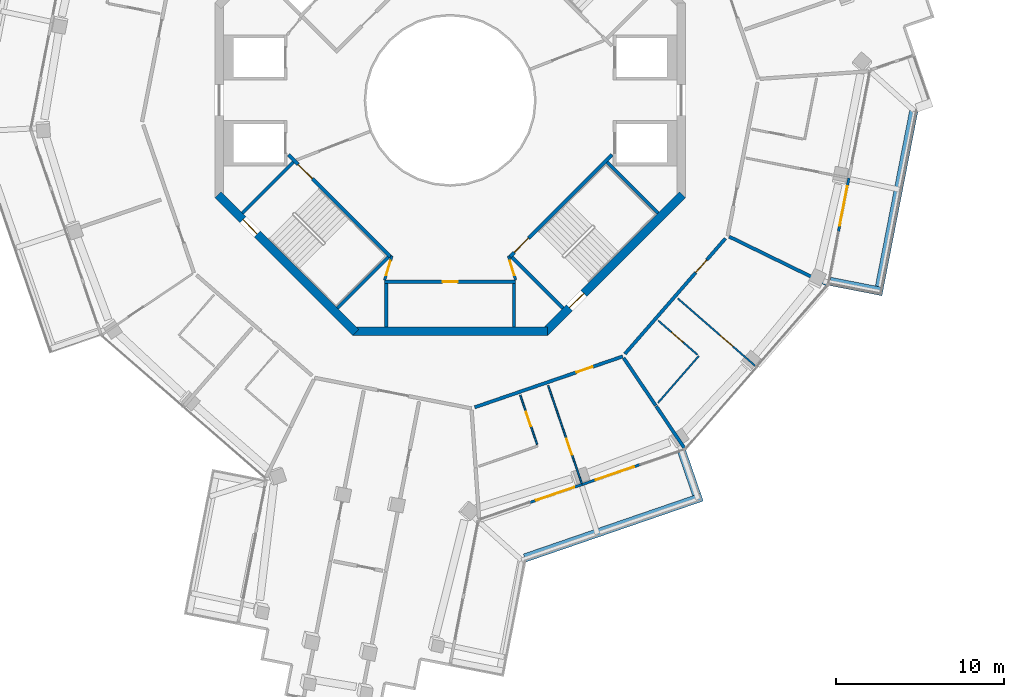
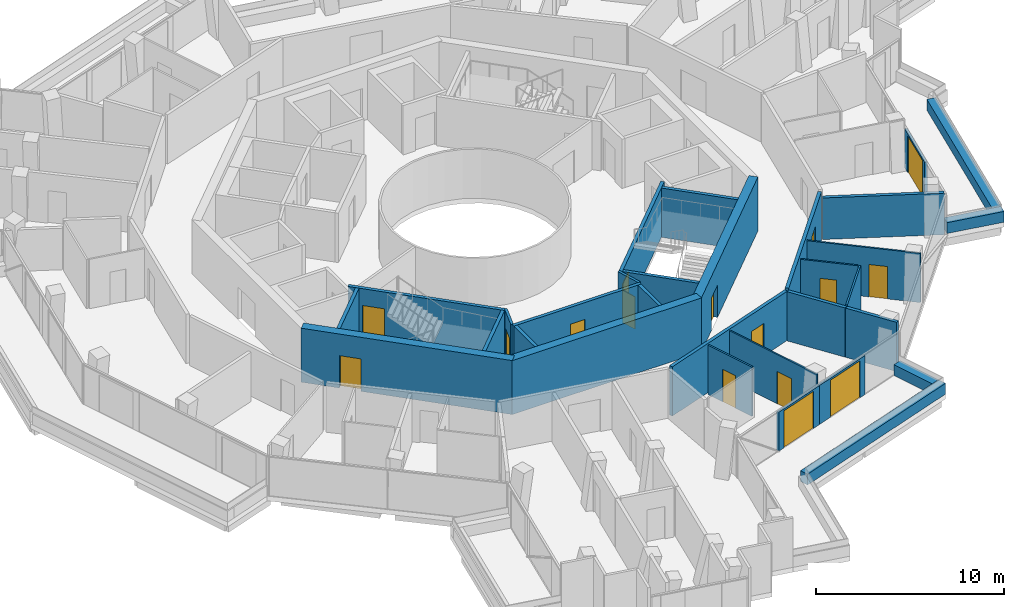
# One storey, part 15 of 22: 31 walls, 16 doors, 16 openings.
"""IFC4 building model written with IfcOpenShell, lengths in metres."""

from ifc_helpers import new_model, si_unit, direction, frame, frame_2d, origin, place, context, subcontext, project, spatial, rectangle, extrude, material, layer, layer_set, type_object, element, fill, save


model = new_model("IFC4")

# Units and contexts
model_context = context("Model", 3, precision=1e-05, world=origin(), true_north=direction((0.0, 1.0)))
body_context = subcontext(model_context, "Body", "Model", "MODEL_VIEW")
ifc_project = project(units=[si_unit("LENGTHUNIT", "METRE"), si_unit("AREAUNIT", "SQUARE_METRE"), si_unit("VOLUMEUNIT", "CUBIC_METRE"), si_unit("PLANEANGLEUNIT", "RADIAN"), si_unit("MASSUNIT", "GRAM", prefix="KILO")], contexts=[model_context])

# Site, building, storey
site_placement = place(None, origin())
site = spatial("IfcSite", under=ifc_project, at=site_placement, CompositionType="ELEMENT")
building_placement = place(site_placement, origin())
building = spatial("IfcBuilding", under=site, at=building_placement, Name="Verdalira Terraces Hotel", CompositionType="ELEMENT")
storey_placement = place(building_placement, frame((0.0, 0.0, 234.0)))
storey = spatial("IfcBuildingStorey", under=building, at=storey_placement, Name="L57", CompositionType="ELEMENT", Elevation=234.0)

# Walls
ifc_material_1 = material(Name="Concrete C40", Category="concrete")
ifc_layer_1 = layer(ifc_material_1, 0.5)
ifc_layer_set_1 = layer_set([ifc_layer_1], Name="Balcony planter trough with tree")
wall_type_1 = type_object("IfcWallType", Name="Balcony planter trough with tree", PredefinedType="SOLIDWALL", material=ifc_layer_set_1)
wall_1_placement = place(storey_placement, frame((4.440186, -27.243896, 0.0), z_axis=(0.0, 0.0, 1.0), x_axis=(0.94574505, 0.324909681, 0.0)))
element("IfcWall", 1, at=wall_1_placement, inside=storey, type_object=wall_type_1, Name="Balcony planter", PredefinedType="SOLIDWALL", context=body_context, shape_type="SweptSolid", body=[
    extrude(rectangle(XDim=11.152344, YDim=0.5, at=frame_2d((5.576172, 0.0))), origin(), (0.0, 0.0, 1.0), 0.699951),
])
wall_2_placement = place(storey_placement, frame((14.669922, -23.465088, 0.0), z_axis=(0.0, 0.0, 1.0), x_axis=(-0.324925551, 0.945739598, 0.0)))
element("IfcWall", 2, at=wall_2_placement, inside=storey, type_object=wall_type_1, Name="Balcony planter", PredefinedType="SOLIDWALL", context=body_context, shape_type="SweptSolid", body=[
    extrude(rectangle(XDim=2.698975, YDim=0.5, at=frame_2d((1.349609, 0.0))), origin(), (0.0, 0.0, 1.0), 0.699951),
])
wall_3_placement = place(storey_placement, frame((22.613525, -10.779785, 0.0), z_axis=(0.0, 0.0, 1.0), x_axis=(0.981497239, -0.191476291, 0.0)))
element("IfcWall", 3, at=wall_3_placement, inside=storey, type_object=wall_type_1, Name="Balcony planter", PredefinedType="SOLIDWALL", context=body_context, shape_type="SweptSolid", body=[
    extrude(rectangle(XDim=3.198975, YDim=0.5, at=frame_2d((1.599609, 0.0))), origin(), (0.0, 0.0, 1.0), 0.699951),
])
wall_4_placement = place(storey_placement, frame((25.555908, -11.099121, 0.0), z_axis=(0.0, 0.0, 1.0), x_axis=(0.191486127, 0.98149532, 0.0)))
element("IfcWall", 4, at=wall_4_placement, inside=storey, type_object=wall_type_1, Name="Balcony planter", PredefinedType="SOLIDWALL", context=body_context, shape_type="SweptSolid", body=[
    extrude(rectangle(XDim=10.652344, YDim=0.5, at=frame_2d((5.326172, 0.0))), origin(), (0.0, 0.0, 1.0), 0.699951),
])

# Wall, opening, door
ifc_material_2 = material(Name="Moisture-resistant gypsum board partition")
ifc_layer_2 = layer(ifc_material_2, 0.10009765625)
ifc_layer_set_2 = layer_set([ifc_layer_2], Name="Bathroom partition 100 mm")
wall_type_2 = type_object("IfcWallType", Name="Bathroom partition 100 mm", PredefinedType="PARTITIONING", material=ifc_layer_set_2)
wall_5_placement = place(storey_placement, frame((5.179199, -20.487061, 0.0), z_axis=(0.0, 0.0, 1.0), x_axis=(-0.324956504, 0.945728963, 0.0)))
wall_5 = element("IfcWall", 5, at=wall_5_placement, inside=storey, type_object=wall_type_2, Name="Bathroom partition", PredefinedType="PARTITIONING", context=body_context, shape_type="SweptSolid", body=[
    extrude(rectangle(XDim=3.099854, YDim=0.100098, at=frame_2d((1.549805, 0.0))), origin(), (0.0, 0.0, 1.0), 3.189941),
])
opening_1_placement = place(wall_5_placement, frame((1.149902, 0.0, 0.0)))
opening_1 = element("IfcOpeningElement", 6, at=opening_1_placement, cuts=wall_5, Name="Opening L57-117", PredefinedType="OPENING", context=body_context, shape_type="SweptSolid", body=[
    extrude(rectangle(XDim=0.899902, YDim=2.100098, at=frame_2d((0.449951, 1.050049))), frame((0.0, 0.060059, 0.0), z_axis=(0.0, -1.0, 0.0), x_axis=(1.0, 0.0, 0.0)), (0.0, 0.0, 1.0), 0.120117),
])
ifc_material_3 = material(Name="Timber door", Category="wood")
door_type_1 = type_object("IfcDoorType", Name="Bathroom door 900 x 2100", OperationType="NOTDEFINED", PredefinedType="DOOR", material=ifc_material_3)
door_1_placement = place(opening_1_placement, origin())
door_1 = element("IfcDoor", 7, at=door_1_placement, inside=storey, type_object=door_type_1, Name="Bathroom door 5706", OperationType="SINGLE_SWING_LEFT", OverallHeight=2.10009765625, OverallWidth=0.89990234375, PredefinedType="DOOR", context=body_context, shape_type="SweptSolid", body=[
    extrude(rectangle(XDim=0.899902, YDim=2.100098, at=frame_2d((0.449951, 1.050049))), frame((0.0, 0.024902, 0.0), z_axis=(0.0, -1.0, 0.0), x_axis=(1.0, 0.0, 0.0)), (0.0, 0.0, 1.0), 0.050049),
])
fill(opening_1, door_1)

wall_6_placement = place(storey_placement, frame((7.833008, -22.800293, 0.0), z_axis=(0.0, 0.0, 1.0), x_axis=(-0.324920005, 0.945741503, 0.0)))
wall_6 = element("IfcWall", 8, at=wall_6_placement, inside=storey, type_object=wall_type_2, Name="Bathroom partition", PredefinedType="PARTITIONING", context=body_context, shape_type="SweptSolid", body=[
    extrude(rectangle(XDim=6.150146, YDim=0.100098, at=frame_2d((3.075195, 0.0))), origin(), (0.0, 0.0, 1.0), 3.189941),
])
opening_2_placement = place(wall_6_placement, frame((1.800049, 0.0, 0.0)))
opening_2 = element("IfcOpeningElement", 9, at=opening_2_placement, cuts=wall_6, Name="Opening L57-116", PredefinedType="OPENING", context=body_context, shape_type="SweptSolid", body=[
    extrude(rectangle(XDim=1.0, YDim=2.100098, at=frame_2d((0.5, 1.050049))), frame((0.0, 0.060059, 0.0), z_axis=(0.0, -1.0, 0.0), x_axis=(1.0, 0.0, 0.0)), (0.0, 0.0, 1.0), 0.120117),
])
ifc_material_4 = material(Name="Timber door", Category="wood")
door_type_2 = type_object("IfcDoorType", Name="Suite internal door 1000 x 2100", OperationType="NOTDEFINED", PredefinedType="DOOR", material=ifc_material_4)
door_2_placement = place(opening_2_placement, origin())
door_2 = element("IfcDoor", 10, at=door_2_placement, inside=storey, type_object=door_type_2, Name="Suite internal door 5706", OperationType="SINGLE_SWING_LEFT", OverallHeight=2.10009765625, OverallWidth=1.0, PredefinedType="DOOR", context=body_context, shape_type="SweptSolid", body=[
    extrude(rectangle(XDim=1.0, YDim=2.100098, at=frame_2d((0.5, 1.050049))), frame((0.0, 0.024902, 0.0), z_axis=(0.0, -1.0, 0.0), x_axis=(1.0, 0.0, 0.0)), (0.0, 0.0, 1.0), 0.050049),
])
fill(opening_2, door_2)

wall_7_placement = place(storey_placement, frame((14.72876, -15.152832, 0.0), z_axis=(0.0, 0.0, 1.0), x_axis=(-0.754247659, 0.656590031, 0.0)))
wall_7 = element("IfcWall", 11, at=wall_7_placement, inside=storey, type_object=wall_type_2, Name="Bathroom partition", PredefinedType="PARTITIONING", context=body_context, shape_type="SweptSolid", body=[
    extrude(rectangle(XDim=3.099854, YDim=0.100098, at=frame_2d((1.549805, 0.0))), origin(), (0.0, 0.0, 1.0), 3.189941),
])
opening_3_placement = place(wall_7_placement, frame((1.149902, 0.0, 0.0)))
opening_3 = element("IfcOpeningElement", 12, at=opening_3_placement, cuts=wall_7, Name="Opening L57-120", PredefinedType="OPENING", context=body_context, shape_type="SweptSolid", body=[
    extrude(rectangle(XDim=0.899902, YDim=2.100098, at=frame_2d((0.449951, 1.050049))), frame((0.0, 0.060059, 0.0), z_axis=(0.0, -1.0, 0.0), x_axis=(1.0, 0.0, 0.0)), (0.0, 0.0, 1.0), 0.120117),
])
door_3_placement = place(opening_3_placement, origin())
door_3 = element("IfcDoor", 13, at=door_3_placement, inside=storey, type_object=door_type_1, Name="Bathroom door 5707", OperationType="SINGLE_SWING_LEFT", OverallHeight=2.10009765625, OverallWidth=0.89990234375, PredefinedType="DOOR", context=body_context, shape_type="SweptSolid", body=[
    extrude(rectangle(XDim=0.899902, YDim=2.100098, at=frame_2d((0.449951, 1.050049))), frame((0.0, 0.024902, 0.0), z_axis=(0.0, -1.0, 0.0), x_axis=(1.0, 0.0, 0.0)), (0.0, 0.0, 1.0), 0.050049),
])
fill(opening_3, door_3)

# Wall
wall_8_placement = place(storey_placement, frame((12.372314, -18.012207, 0.0), z_axis=(0.0, 0.0, 1.0), x_axis=(0.656575176, 0.75426059, 0.0)))
element("IfcWall", 14, at=wall_8_placement, inside=storey, type_object=wall_type_2, Name="Bathroom partition", PredefinedType="PARTITIONING", context=body_context, shape_type="SweptSolid", body=[
    extrude(rectangle(XDim=3.703857, YDim=0.100098, at=frame_2d((1.852051, 0.0))), origin(), (0.0, 0.0, 1.0), 3.189941),
])

# Wall, opening, door
wall_9_placement = place(storey_placement, frame((18.183594, -15.829102, 0.0), z_axis=(0.0, 0.0, 1.0), x_axis=(-0.754249014, 0.656588475, 0.0)))
wall_9 = element("IfcWall", 15, at=wall_9_placement, inside=storey, type_object=wall_type_2, Name="Bathroom partition", PredefinedType="PARTITIONING", context=body_context, shape_type="SweptSolid", body=[
    extrude(rectangle(XDim=6.149658, YDim=0.100098, at=frame_2d((3.074707, 0.0))), origin(), (0.0, 0.0, 1.0), 3.189941),
])
opening_4_placement = place(wall_9_placement, frame((1.800049, 0.0, 0.0)))
opening_4 = element("IfcOpeningElement", 16, at=opening_4_placement, cuts=wall_9, Name="Opening L57-119", PredefinedType="OPENING", context=body_context, shape_type="SweptSolid", body=[
    extrude(rectangle(XDim=1.0, YDim=2.100098, at=frame_2d((0.5, 1.050049))), frame((0.0, 0.060059, 0.0), z_axis=(0.0, -1.0, 0.0), x_axis=(1.0, 0.0, 0.0)), (0.0, 0.0, 1.0), 0.120117),
])
door_4_placement = place(opening_4_placement, origin())
door_4 = element("IfcDoor", 17, at=door_4_placement, inside=storey, type_object=door_type_2, Name="Suite internal door 5707", OperationType="SINGLE_SWING_LEFT", OverallHeight=2.10009765625, OverallWidth=1.0, PredefinedType="DOOR", context=body_context, shape_type="SweptSolid", body=[
    extrude(rectangle(XDim=1.0, YDim=2.100098, at=frame_2d((0.5, 1.050049))), frame((0.0, 0.024902, 0.0), z_axis=(0.0, -1.0, 0.0), x_axis=(1.0, 0.0, 0.0)), (0.0, 0.0, 1.0), 0.050049),
])
fill(opening_4, door_4)

ifc_material_5 = material(Name="Concrete C50", Category="concrete")
ifc_layer_3 = layer(ifc_material_5, 0.199951171875)
ifc_layer_set_3 = layer_set([ifc_layer_3], Name="Core RC wall 200 C50")
wall_type_3 = type_object("IfcWallType", Name="Core RC wall 200 C50", PredefinedType="SOLIDWALL", material=ifc_layer_set_3)
wall_10_placement = place(storey_placement, frame((-3.899902, -10.800049, 0.0), z_axis=(0.0, 0.0, 1.0), x_axis=(1.0, 0.0, 0.0)))
wall_10 = element("IfcWall", 18, at=wall_10_placement, inside=storey, type_object=wall_type_3, Name="L57 store front wall", PredefinedType="SOLIDWALL", context=body_context, shape_type="SweptSolid", body=[
    extrude(rectangle(XDim=7.799805, YDim=0.199951, at=frame_2d((3.899902, 0.0))), origin(), (0.0, 0.0, 1.0), 3.189941),
])
opening_5_placement = place(wall_10_placement, frame((3.449951, 0.0, 0.0)))
opening_5 = element("IfcOpeningElement", 19, at=opening_5_placement, cuts=wall_10, Name="Opening L57-801", PredefinedType="OPENING", context=body_context, shape_type="SweptSolid", body=[
    extrude(rectangle(XDim=0.899902, YDim=2.100098, at=frame_2d((0.449951, 1.050049))), frame((0.0, 0.109863, 0.0), z_axis=(0.0, -1.0, 0.0), x_axis=(1.0, 0.0, 0.0)), (0.0, 0.0, 1.0), 0.219971),
])
ifc_material_6 = material(Name="Steel fire door", Category="steel")
door_type_3 = type_object("IfcDoorType", Name="Core room door 900 x 2100", OperationType="NOTDEFINED", PredefinedType="DOOR", material=ifc_material_6)
door_5_placement = place(opening_5_placement, origin())
door_5 = element("IfcDoor", 20, at=door_5_placement, inside=storey, type_object=door_type_3, Name="Store door L57 SS", OperationType="SINGLE_SWING_LEFT", OverallHeight=2.10009765625, OverallWidth=0.89990234375, PredefinedType="DOOR", context=body_context, shape_type="SweptSolid", body=[
    extrude(rectangle(XDim=0.899902, YDim=2.100098, at=frame_2d((0.449951, 1.050049))), frame((0.0, 0.024902, 0.0), z_axis=(0.0, -1.0, 0.0), x_axis=(1.0, 0.0, 0.0)), (0.0, 0.0, 1.0), 0.050049),
])
fill(opening_5, door_5)

# Walls
for number, where, z_axis, x_axis, name in (
    (21, (-3.800049, -10.899902, 0.0), (0.0, 0.0, 1.0), (0.0, -1.0, 0.0), "L57 store side wall"),
    (22, (3.800049, -10.899902, 0.0), (0.0, 0.0, 1.0), (0.0, -1.0, 0.0), "L57 store side wall"),
):
    element("IfcWall", number, at=place(storey_placement, frame(where, z_axis=z_axis, x_axis=x_axis)), inside=storey, type_object=wall_type_3, Name=name, PredefinedType="SOLIDWALL", context=body_context, shape_type="SweptSolid", body=[
        extrude(rectangle(XDim=2.600098, YDim=0.199951, at=frame_2d((1.300049, 0.0))), origin(), (0.0, 0.0, 1.0), 3.189941),
    ])

# Wall, opening, door
wall_11_placement = place(storey_placement, frame((-3.5354, -9.33374, 0.0), z_axis=(0.0, 0.0, 1.0), x_axis=(-0.707120946, 0.707092617, 0.0)))
wall_11 = element("IfcWall", 23, at=wall_11_placement, inside=storey, type_object=wall_type_3, Name="L57 stair ST2 front wall", PredefinedType="SOLIDWALL", context=body_context, shape_type="SweptSolid", body=[
    extrude(rectangle(XDim=8.61792, YDim=0.199951, at=frame_2d((4.309082, 0.0))), origin(), (0.0, 0.0, 1.0), 3.189941),
])
opening_6_placement = place(wall_11_placement, frame((6.600098, 0.0, 0.0)))
opening_6 = element("IfcOpeningElement", 24, at=opening_6_placement, cuts=wall_11, Name="Opening L57-811", PredefinedType="OPENING", context=body_context, shape_type="SweptSolid", body=[
    extrude(rectangle(XDim=1.199951, YDim=2.100098, at=frame_2d((0.600098, 1.050049))), frame((0.0, 0.109863, 0.0), z_axis=(0.0, -1.0, 0.0), x_axis=(1.0, 0.0, 0.0)), (0.0, 0.0, 1.0), 0.219971),
])
ifc_material_7 = material(Name="Steel fire door", Category="steel")
door_type_4 = type_object("IfcDoorType", Name="Stair door 1200 x 2100", OperationType="NOTDEFINED", PredefinedType="DOOR", material=ifc_material_7)
door_6_placement = place(opening_6_placement, origin())
door_6 = element("IfcDoor", 25, at=door_6_placement, inside=storey, type_object=door_type_4, Name="Stair door ST2 L57", OperationType="SINGLE_SWING_RIGHT", OverallHeight=2.10009765625, OverallWidth=1.199951171875, PredefinedType="DOOR", context=body_context, shape_type="SweptSolid", body=[
    extrude(rectangle(XDim=1.199951, YDim=2.100098, at=frame_2d((0.600098, 1.050049))), frame((0.0, 0.024902, 0.0), z_axis=(0.0, -1.0, 0.0), x_axis=(1.0, 0.0, 0.0)), (0.0, 0.0, 1.0), 0.050049),
])
fill(opening_6, door_6)

# Walls
for number, where, z_axis, x_axis, name in (
    (26, (-9.33374, -3.677002, 0.0), (0.0, 0.0, 1.0), (-0.707135168, -0.707078393, 0.0), "L57 stair ST2 end wall 1"),
    (27, (-3.677002, -9.33374, 0.0), (0.0, 0.0, 1.0), (-0.707078393, -0.707135168, 0.0), "L57 stair ST2 end wall 2"),
):
    element("IfcWall", number, at=place(storey_placement, frame(where, z_axis=z_axis, x_axis=x_axis)), inside=storey, type_object=wall_type_3, Name=name, PredefinedType="SOLIDWALL", context=body_context, shape_type="SweptSolid", body=[
        extrude(rectangle(XDim=4.300049, YDim=0.199951, at=frame_2d((2.149902, 0.0))), origin(), (0.0, 0.0, 1.0), 3.189941),
    ])

# Wall, opening, door
wall_12_placement = place(storey_placement, frame((9.629395, -3.23999, 0.0), z_axis=(0.0, 0.0, 1.0), x_axis=(-0.707120946, -0.707092617, 0.0)))
wall_12 = element("IfcWall", 28, at=wall_12_placement, inside=storey, type_object=wall_type_3, Name="L57 stair ST3 front wall", PredefinedType="SOLIDWALL", context=body_context, shape_type="SweptSolid", body=[
    extrude(rectangle(XDim=8.61792, YDim=0.199951, at=frame_2d((4.309082, 0.0))), origin(), (0.0, 0.0, 1.0), 3.189941),
])
opening_7_placement = place(wall_12_placement, frame((7.017822, 0.0, 0.0)))
opening_7 = element("IfcOpeningElement", 29, at=opening_7_placement, cuts=wall_12, Name="Opening L57-812", PredefinedType="OPENING", context=body_context, shape_type="SweptSolid", body=[
    extrude(rectangle(XDim=1.199951, YDim=2.100098, at=frame_2d((0.600098, 1.050049))), frame((0.0, 0.109863, 0.0), z_axis=(0.0, -1.0, 0.0), x_axis=(1.0, 0.0, 0.0)), (0.0, 0.0, 1.0), 0.219971),
])
door_7_placement = place(opening_7_placement, origin())
door_7 = element("IfcDoor", 30, at=door_7_placement, inside=storey, type_object=door_type_4, Name="Stair door ST3 L57", OperationType="SINGLE_SWING_RIGHT", OverallHeight=2.10009765625, OverallWidth=1.199951171875, PredefinedType="DOOR", context=body_context, shape_type="SweptSolid", body=[
    extrude(rectangle(XDim=1.199951, YDim=2.100098, at=frame_2d((0.600098, 1.050049))), frame((0.0, 0.024902, 0.0), z_axis=(0.0, -1.0, 0.0), x_axis=(1.0, 0.0, 0.0)), (0.0, 0.0, 1.0), 0.050049),
])
fill(opening_7, door_7)

# Walls
for number, where, z_axis, x_axis, name in (
    (31, (3.677002, -9.33374, 0.0), (0.0, 0.0, 1.0), (0.707078393, -0.707135168, 0.0), "L57 stair ST3 end wall 1"),
    (32, (9.33374, -3.677002, 0.0), (0.0, 0.0, 1.0), (0.707135168, -0.707078393, 0.0), "L57 stair ST3 end wall 2"),
):
    element("IfcWall", number, at=place(storey_placement, frame(where, z_axis=z_axis, x_axis=x_axis)), inside=storey, type_object=wall_type_3, Name=name, PredefinedType="SOLIDWALL", context=body_context, shape_type="SweptSolid", body=[
        extrude(rectangle(XDim=4.300049, YDim=0.199951, at=frame_2d((2.149902, 0.0))), origin(), (0.0, 0.0, 1.0), 3.189941),
    ])

# Wall, opening, door
ifc_material_8 = material(Name="Gypsum board partition")
ifc_layer_4 = layer(ifc_material_8, 0.14990234375)
ifc_layer_set_4 = layer_set([ifc_layer_4], Name="Core partition 150 mm")
wall_type_4 = type_object("IfcWallType", Name="Core partition 150 mm", PredefinedType="PARTITIONING", material=ifc_layer_set_4)
wall_13_placement = place(storey_placement, frame((-3.464844, -9.263184, 0.0), z_axis=(0.0, 0.0, 1.0), x_axis=(-0.289808785, -0.957084567, 0.0)))
wall_13 = element("IfcWall", 33, at=wall_13_placement, inside=storey, type_object=wall_type_4, Name="Room partition L57", PredefinedType="PARTITIONING", context=body_context, shape_type="SweptSolid", body=[
    extrude(rectangle(XDim=1.501221, YDim=0.149902, at=frame_2d((0.750488, 0.0))), origin(), (0.0, 0.0, 1.0), 3.189941),
])
opening_8_placement = place(wall_13_placement, frame((0.300781, 0.0, 0.0)))
opening_8 = element("IfcOpeningElement", 34, at=opening_8_placement, cuts=wall_13, Name="Opening L57-822", PredefinedType="OPENING", context=body_context, shape_type="SweptSolid", body=[
    extrude(rectangle(XDim=0.899902, YDim=2.100098, at=frame_2d((0.449951, 1.050049))), frame((0.0, 0.084961, 0.0), z_axis=(0.0, -1.0, 0.0), x_axis=(1.0, 0.0, 0.0)), (0.0, 0.0, 1.0), 0.169922),
])
door_8_placement = place(opening_8_placement, origin())
door_8 = element("IfcDoor", 35, at=door_8_placement, inside=storey, type_object=door_type_3, Name="Door L57 room5", OperationType="SINGLE_SWING_LEFT", OverallHeight=2.10009765625, OverallWidth=0.89990234375, PredefinedType="DOOR", context=body_context, shape_type="SweptSolid", body=[
    extrude(rectangle(XDim=0.899902, YDim=2.100098, at=frame_2d((0.449951, 1.050049))), frame((0.0, 0.024902, 0.0), z_axis=(0.0, -1.0, 0.0), x_axis=(1.0, 0.0, 0.0)), (0.0, 0.0, 1.0), 0.050049),
])
fill(opening_8, door_8)

wall_14_placement = place(storey_placement, frame((3.899902, -10.699951, 0.0), z_axis=(0.0, 0.0, 1.0), x_axis=(-0.289808785, 0.957084567, 0.0)))
wall_14 = element("IfcWall", 36, at=wall_14_placement, inside=storey, type_object=wall_type_4, Name="Room partition L57", PredefinedType="PARTITIONING", context=body_context, shape_type="SweptSolid", body=[
    extrude(rectangle(XDim=1.501221, YDim=0.149902, at=frame_2d((0.750488, 0.0))), origin(), (0.0, 0.0, 1.0), 3.189941),
])
opening_9_placement = place(wall_14_placement, frame((0.300781, 0.0, 0.0)))
opening_9 = element("IfcOpeningElement", 37, at=opening_9_placement, cuts=wall_14, Name="Opening L57-823", PredefinedType="OPENING", context=body_context, shape_type="SweptSolid", body=[
    extrude(rectangle(XDim=0.899902, YDim=2.100098, at=frame_2d((0.449951, 1.050049))), frame((0.0, 0.084961, 0.0), z_axis=(0.0, -1.0, 0.0), x_axis=(1.0, 0.0, 0.0)), (0.0, 0.0, 1.0), 0.169922),
])
door_9_placement = place(opening_9_placement, origin())
door_9 = element("IfcDoor", 38, at=door_9_placement, inside=storey, type_object=door_type_3, Name="Door L57 room6", OperationType="SINGLE_SWING_LEFT", OverallHeight=2.10009765625, OverallWidth=0.89990234375, PredefinedType="DOOR", context=body_context, shape_type="SweptSolid", body=[
    extrude(rectangle(XDim=0.899902, YDim=2.100098, at=frame_2d((0.449951, 1.050049))), frame((0.0, 0.024902, 0.0), z_axis=(0.0, -1.0, 0.0), x_axis=(1.0, 0.0, 0.0)), (0.0, 0.0, 1.0), 0.050049),
])
fill(opening_9, door_9)

ifc_material_9 = material(Name="Concrete C50", Category="concrete")
ifc_layer_5 = layer(ifc_material_9, 0.5)
ifc_layer_set_5 = layer_set([ifc_layer_5], Name="Core wall 500 C50")
wall_type_5 = type_object("IfcWallType", Name="Core wall 500 C50", PredefinedType="SHEAR", material=ifc_layer_set_5)
wall_15_placement = place(storey_placement, frame((-13.823242, -5.622314, 0.0), z_axis=(0.0, 0.0, 1.0), x_axis=(0.707106781, -0.707106781, 0.0)))
wall_15 = element("IfcWall", 39, at=wall_15_placement, inside=storey, type_object=wall_type_5, Name="Core wall CW-L57-6", PredefinedType="SHEAR", context=body_context, shape_type="SweptSolid", body=[
    extrude(rectangle(XDim=11.5979, YDim=0.5, at=frame_2d((5.798828, 0.0))), origin(), (0.0, 0.0, 1.0), 3.5),
])
opening_10_placement = place(wall_15_placement, frame((2.099121, 0.0, 0.0)))
opening_10 = element("IfcOpeningElement", 40, at=opening_10_placement, cuts=wall_15, Name="Opening L57-817", PredefinedType="OPENING", context=body_context, shape_type="SweptSolid", body=[
    extrude(rectangle(XDim=1.199951, YDim=2.100098, at=frame_2d((0.600098, 1.050049))), frame((0.0, 0.26001, 0.0), z_axis=(0.0, -1.0, 0.0), x_axis=(1.0, 0.0, 0.0)), (0.0, 0.0, 1.0), 0.52002),
])
door_10_placement = place(opening_10_placement, origin())
door_10 = element("IfcDoor", 41, at=door_10_placement, inside=storey, type_object=door_type_4, Name="Stair exit door ST2 L57", OperationType="SINGLE_SWING_LEFT", OverallHeight=2.10009765625, OverallWidth=1.199951171875, PredefinedType="DOOR", context=body_context, shape_type="SweptSolid", body=[
    extrude(rectangle(XDim=1.199951, YDim=2.100098, at=frame_2d((0.600098, 1.050049))), frame((0.0, 0.024902, 0.0), z_axis=(0.0, -1.0, 0.0), x_axis=(1.0, 0.0, 0.0)), (0.0, 0.0, 1.0), 0.050049),
])
fill(opening_10, door_10)

# Wall
wall_16_placement = place(storey_placement, frame((-5.799072, -13.75, 0.0), z_axis=(0.0, 0.0, 1.0), x_axis=(1.0, 0.0, 0.0)))
element("IfcWall", 42, at=wall_16_placement, inside=storey, type_object=wall_type_5, Name="Core wall CW-L57-7", PredefinedType="SHEAR", context=body_context, shape_type="SweptSolid", body=[
    extrude(rectangle(XDim=11.598145, YDim=0.5, at=frame_2d((5.799072, 0.0))), origin(), (0.0, 0.0, 1.0), 3.5),
])

# Wall, opening, door
wall_17_placement = place(storey_placement, frame((5.622314, -13.823242, 0.0), z_axis=(0.0, 0.0, 1.0), x_axis=(0.707106781, 0.707106781, 0.0)))
wall_17 = element("IfcWall", 43, at=wall_17_placement, inside=storey, type_object=wall_type_5, Name="Core wall CW-L57-8", PredefinedType="SHEAR", context=body_context, shape_type="SweptSolid", body=[
    extrude(rectangle(XDim=11.5979, YDim=0.5, at=frame_2d((5.798828, 0.0))), origin(), (0.0, 0.0, 1.0), 3.5),
])
opening_11_placement = place(wall_17_placement, frame((2.099121, 0.0, 0.0)))
opening_11 = element("IfcOpeningElement", 44, at=opening_11_placement, cuts=wall_17, Name="Opening L57-818", PredefinedType="OPENING", context=body_context, shape_type="SweptSolid", body=[
    extrude(rectangle(XDim=1.199951, YDim=2.100098, at=frame_2d((0.600098, 1.050049))), frame((0.0, 0.26001, 0.0), z_axis=(0.0, -1.0, 0.0), x_axis=(1.0, 0.0, 0.0)), (0.0, 0.0, 1.0), 0.52002),
])
door_11_placement = place(opening_11_placement, origin())
door_11 = element("IfcDoor", 45, at=door_11_placement, inside=storey, type_object=door_type_4, Name="Stair exit door ST3 L57", OperationType="SINGLE_SWING_LEFT", OverallHeight=2.10009765625, OverallWidth=1.199951171875, PredefinedType="DOOR", context=body_context, shape_type="SweptSolid", body=[
    extrude(rectangle(XDim=1.199951, YDim=2.100098, at=frame_2d((0.600098, 1.050049))), frame((0.0, 0.024902, 0.0), z_axis=(0.0, -1.0, 0.0), x_axis=(1.0, 0.0, 0.0)), (0.0, 0.0, 1.0), 0.050049),
])
fill(opening_11, door_11)

# Walls
ifc_material_10 = material(Name="Fire-rated gypsum board wall")
ifc_layer_6 = layer(ifc_material_10, 0.199951171875)
ifc_layer_set_6 = layer_set([ifc_layer_6], Name="Demising wall 200 mm")
wall_type_6 = type_object("IfcWallType", Name="Demising wall 200 mm", PredefinedType="SOLIDWALL", material=ifc_layer_set_6)
wall_18_placement = place(storey_placement, frame((10.327881, -15.334717, 0.0), z_axis=(0.0, 0.0, 1.0), x_axis=(0.558600379, -0.829436927, 0.0)))
element("IfcWall", 46, at=wall_18_placement, inside=storey, type_object=wall_type_6, Name="Demising wall", PredefinedType="SOLIDWALL", context=body_context, shape_type="SweptSolid", body=[
    extrude(rectangle(XDim=3.418213, YDim=0.199951, at=frame_2d((1.708984, 0.0))), origin(), (0.0, 0.0, 1.0), 3.189941),
])
wall_19_placement = place(storey_placement, frame((12.263184, -18.208008, 0.0), z_axis=(0.0, 0.0, 1.0), x_axis=(0.558585582, -0.829446893, 0.0)))
element("IfcWall", 47, at=wall_19_placement, inside=storey, type_object=wall_type_6, Name="Demising wall", PredefinedType="SOLIDWALL", context=body_context, shape_type="SweptSolid", body=[
    extrude(rectangle(XDim=3.011475, YDim=0.199951, at=frame_2d((1.505859, 0.0))), origin(), (0.0, 0.0, 1.0), 3.189941),
])
ifc_material_11 = material(Name="Fire-rated gypsum board wall")
ifc_layer_7 = layer(ifc_material_11, 0.199951171875)
ifc_layer_set_7 = layer_set([ifc_layer_7], Name="Demising wall 200 mm to beam soffit")
wall_type_7 = type_object("IfcWallType", Name="Demising wall 200 mm to beam soffit", PredefinedType="SOLIDWALL", material=ifc_layer_set_7)
wall_20_placement = place(storey_placement, frame((16.611572, -8.116211, 0.0), z_axis=(0.0, 0.0, 1.0), x_axis=(0.898476571, -0.43902147, 0.0)))
element("IfcWall", 48, at=wall_20_placement, inside=storey, type_object=wall_type_7, Name="Demising wall", PredefinedType="SOLIDWALL", context=body_context, shape_type="SweptSolid", body=[
    extrude(rectangle(XDim=6.47583, YDim=0.199951, at=frame_2d((3.237793, 0.0))), origin(), (0.0, 0.0, 1.0), 2.689941),
])

# Wall, opening, door
ifc_material_12 = material(Name="Fire-rated gypsum board wall")
ifc_layer_8 = layer(ifc_material_12, 0.199951171875)
ifc_layer_set_8 = layer_set([ifc_layer_8], Name="Guest corridor wall 200 mm")
wall_type_8 = type_object("IfcWallType", Name="Guest corridor wall 200 mm", PredefinedType="SOLIDWALL", material=ifc_layer_set_8)
wall_21_placement = place(storey_placement, frame((10.27002, -15.248779, 0.0), z_axis=(0.0, 0.0, 1.0), x_axis=(-0.945745241, -0.324909125, 0.0)))
wall_21 = element("IfcWall", 49, at=wall_21_placement, inside=storey, type_object=wall_type_8, Name="Guest corridor wall", PredefinedType="SOLIDWALL", context=body_context, shape_type="SweptSolid", body=[
    extrude(rectangle(XDim=9.31665, YDim=0.199951, at=frame_2d((4.658203, 0.0))), origin(), (0.0, 0.0, 1.0), 3.189941),
])
opening_12_placement = place(wall_21_placement, frame((1.899902, 0.0, 0.0)))
opening_12 = element("IfcOpeningElement", 50, at=opening_12_placement, cuts=wall_21, Name="Opening L57-115", PredefinedType="OPENING", context=body_context, shape_type="SweptSolid", body=[
    extrude(rectangle(XDim=1.0, YDim=2.100098, at=frame_2d((0.5, 1.050049))), frame((0.0, 0.109863, 0.0), z_axis=(0.0, -1.0, 0.0), x_axis=(1.0, 0.0, 0.0)), (0.0, 0.0, 1.0), 0.219971),
])
ifc_material_13 = material(Name="Timber fire door", Category="wood")
door_type_5 = type_object("IfcDoorType", Name="Guest entry door 1000 x 2100", OperationType="NOTDEFINED", PredefinedType="DOOR", material=ifc_material_13)
door_12_placement = place(opening_12_placement, origin())
door_12 = element("IfcDoor", 51, at=door_12_placement, inside=storey, type_object=door_type_5, Name="Guest entry door 5706", OperationType="SINGLE_SWING_LEFT", OverallHeight=2.10009765625, OverallWidth=1.0, PredefinedType="DOOR", context=body_context, shape_type="SweptSolid", body=[
    extrude(rectangle(XDim=1.0, YDim=2.100098, at=frame_2d((0.5, 1.050049))), frame((0.0, 0.024902, 0.0), z_axis=(0.0, -1.0, 0.0), x_axis=(1.0, 0.0, 0.0)), (0.0, 0.0, 1.0), 0.050049),
])
fill(opening_12, door_12)

wall_22_placement = place(storey_placement, frame((16.387207, -8.22168, 0.0), z_axis=(0.0, 0.0, 1.0), x_axis=(-0.656585706, -0.754251424, 0.0)))
wall_22 = element("IfcWall", 52, at=wall_22_placement, inside=storey, type_object=wall_type_8, Name="Guest corridor wall", PredefinedType="SOLIDWALL", context=body_context, shape_type="SweptSolid", body=[
    extrude(rectangle(XDim=9.116699, YDim=0.199951, at=frame_2d((4.55835, 0.0))), origin(), (0.0, 0.0, 1.0), 3.189941),
])
opening_13_placement = place(wall_22_placement, frame((1.699951, 0.0, 0.0)))
opening_13 = element("IfcOpeningElement", 53, at=opening_13_placement, cuts=wall_22, Name="Opening L57-118", PredefinedType="OPENING", context=body_context, shape_type="SweptSolid", body=[
    extrude(rectangle(XDim=1.0, YDim=2.100098, at=frame_2d((0.5, 1.050049))), frame((0.0, 0.109863, 0.0), z_axis=(0.0, -1.0, 0.0), x_axis=(1.0, 0.0, 0.0)), (0.0, 0.0, 1.0), 0.219971),
])
door_13_placement = place(opening_13_placement, origin())
door_13 = element("IfcDoor", 54, at=door_13_placement, inside=storey, type_object=door_type_5, Name="Guest entry door 5707", OperationType="SINGLE_SWING_LEFT", OverallHeight=2.10009765625, OverallWidth=1.0, PredefinedType="DOOR", context=body_context, shape_type="SweptSolid", body=[
    extrude(rectangle(XDim=1.0, YDim=2.100098, at=frame_2d((0.5, 1.050049))), frame((0.0, 0.024902, 0.0), z_axis=(0.0, -1.0, 0.0), x_axis=(1.0, 0.0, 0.0)), (0.0, 0.0, 1.0), 0.050049),
])
fill(opening_13, door_13)

ifc_material_14 = material(Name="Terracotta cladding", Category="masonry")
ifc_layer_9 = layer(ifc_material_14, 0.14990234375)
ifc_layer_set_9 = layer_set([ifc_layer_9], Name="Terracotta door pier 150")
wall_type_9 = type_object("IfcWallType", Name="Terracotta door pier 150", PredefinedType="SOLIDWALL", material=ifc_layer_set_9)
wall_23_placement = place(storey_placement, frame((4.736328, -23.943359, 0.0), z_axis=(0.0, 0.0, 1.0), x_axis=(0.945766173, 0.32484819, 0.0)))
wall_23 = element("IfcWall", 55, at=wall_23_placement, inside=storey, type_object=wall_type_9, Name="Terracotta door pier", PredefinedType="SOLIDWALL", context=body_context, shape_type="SweptSolid", body=[
    extrude(rectangle(XDim=3.300049, YDim=0.149902, at=frame_2d((1.649902, 0.0))), origin(), (0.0, 0.0, 1.0), 2.524902),
])
opening_14_placement = place(wall_23_placement, frame((0.399902, 0.0, 0.0)))
opening_14 = element("IfcOpeningElement", 56, at=opening_14_placement, cuts=wall_23, Name="Opening L57-B07", PredefinedType="OPENING", context=body_context, shape_type="SweptSolid", body=[
    extrude(rectangle(XDim=2.399902, YDim=2.399902, at=frame_2d((1.199951, 1.199951))), frame((0.0, 0.084961, 0.0), z_axis=(0.0, -1.0, 0.0), x_axis=(1.0, 0.0, 0.0)), (0.0, 0.0, 1.0), 0.169922),
])
ifc_material_15 = material(Name="Clear glass", Category="glass")
door_type_6 = type_object("IfcDoorType", Name="Balcony sliding door 2400x2400", OperationType="NOTDEFINED", PredefinedType="DOOR", material=ifc_material_15)
door_14_placement = place(opening_14_placement, origin())
door_14 = element("IfcDoor", 57, at=door_14_placement, inside=storey, type_object=door_type_6, Name="Balcony sliding door", OperationType="SLIDING_TO_RIGHT", OverallHeight=2.39990234375, OverallWidth=2.39990234375, PredefinedType="DOOR", context=body_context, shape_type="SweptSolid", body=[
    extrude(rectangle(XDim=2.399902, YDim=2.399902, at=frame_2d((1.199951, 1.199951))), frame((0.0, 0.024902, 0.0), z_axis=(0.0, -1.0, 0.0), x_axis=(1.0, 0.0, 0.0)), (0.0, 0.0, 1.0), 0.050049),
])
fill(opening_14, door_14)

wall_24_placement = place(storey_placement, frame((7.857422, -22.871338, 0.0), z_axis=(0.0, 0.0, 1.0), x_axis=(0.945735915, 0.32493627, 0.0)))
wall_24 = element("IfcWall", 58, at=wall_24_placement, inside=storey, type_object=wall_type_9, Name="Terracotta door pier", PredefinedType="SOLIDWALL", context=body_context, shape_type="SweptSolid", body=[
    extrude(rectangle(XDim=3.661377, YDim=0.149902, at=frame_2d((1.830566, 0.0))), origin(), (0.0, 0.0, 1.0), 2.524902),
])
opening_15_placement = place(wall_24_placement, frame((0.861328, 0.0, 0.0)))
opening_15 = element("IfcOpeningElement", 59, at=opening_15_placement, cuts=wall_24, Name="Opening L57-B08", PredefinedType="OPENING", context=body_context, shape_type="SweptSolid", body=[
    extrude(rectangle(XDim=2.399902, YDim=2.399902, at=frame_2d((1.199951, 1.199951))), frame((0.0, 0.084961, 0.0), z_axis=(0.0, -1.0, 0.0), x_axis=(1.0, 0.0, 0.0)), (0.0, 0.0, 1.0), 0.169922),
])
door_15_placement = place(opening_15_placement, origin())
door_15 = element("IfcDoor", 60, at=door_15_placement, inside=storey, type_object=door_type_6, Name="Balcony sliding door", OperationType="SLIDING_TO_LEFT", OverallHeight=2.39990234375, OverallWidth=2.39990234375, PredefinedType="DOOR", context=body_context, shape_type="SweptSolid", body=[
    extrude(rectangle(XDim=2.399902, YDim=2.399902, at=frame_2d((1.199951, 1.199951))), frame((0.0, 0.024902, 0.0), z_axis=(0.0, -1.0, 0.0), x_axis=(1.0, 0.0, 0.0)), (0.0, 0.0, 1.0), 0.050049),
])
fill(opening_15, door_15)

wall_25_placement = place(storey_placement, frame((23.10376, -7.869873, 0.0), z_axis=(0.0, 0.0, 1.0), x_axis=(0.191532956, 0.981486183, 0.0)))
wall_25 = element("IfcWall", 61, at=wall_25_placement, inside=storey, type_object=wall_type_9, Name="Terracotta door pier", PredefinedType="SOLIDWALL", context=body_context, shape_type="SweptSolid", body=[
    extrude(rectangle(XDim=3.300049, YDim=0.149902, at=frame_2d((1.649902, 0.0))), origin(), (0.0, 0.0, 1.0), 2.524902),
])
opening_16_placement = place(wall_25_placement, frame((0.399902, 0.0, 0.0)))
opening_16 = element("IfcOpeningElement", 62, at=opening_16_placement, cuts=wall_25, Name="Opening L57-B09", PredefinedType="OPENING", context=body_context, shape_type="SweptSolid", body=[
    extrude(rectangle(XDim=2.399902, YDim=2.399902, at=frame_2d((1.199951, 1.199951))), frame((0.0, 0.084961, 0.0), z_axis=(0.0, -1.0, 0.0), x_axis=(1.0, 0.0, 0.0)), (0.0, 0.0, 1.0), 0.169922),
])
door_16_placement = place(opening_16_placement, origin())
door_16 = element("IfcDoor", 63, at=door_16_placement, inside=storey, type_object=door_type_6, Name="Balcony sliding door", OperationType="SLIDING_TO_RIGHT", OverallHeight=2.39990234375, OverallWidth=2.39990234375, PredefinedType="DOOR", context=body_context, shape_type="SweptSolid", body=[
    extrude(rectangle(XDim=2.399902, YDim=2.399902, at=frame_2d((1.199951, 1.199951))), frame((0.0, 0.024902, 0.0), z_axis=(0.0, -1.0, 0.0), x_axis=(1.0, 0.0, 0.0)), (0.0, 0.0, 1.0), 0.050049),
])
fill(opening_16, door_16)

save(model, "model.ifc")
